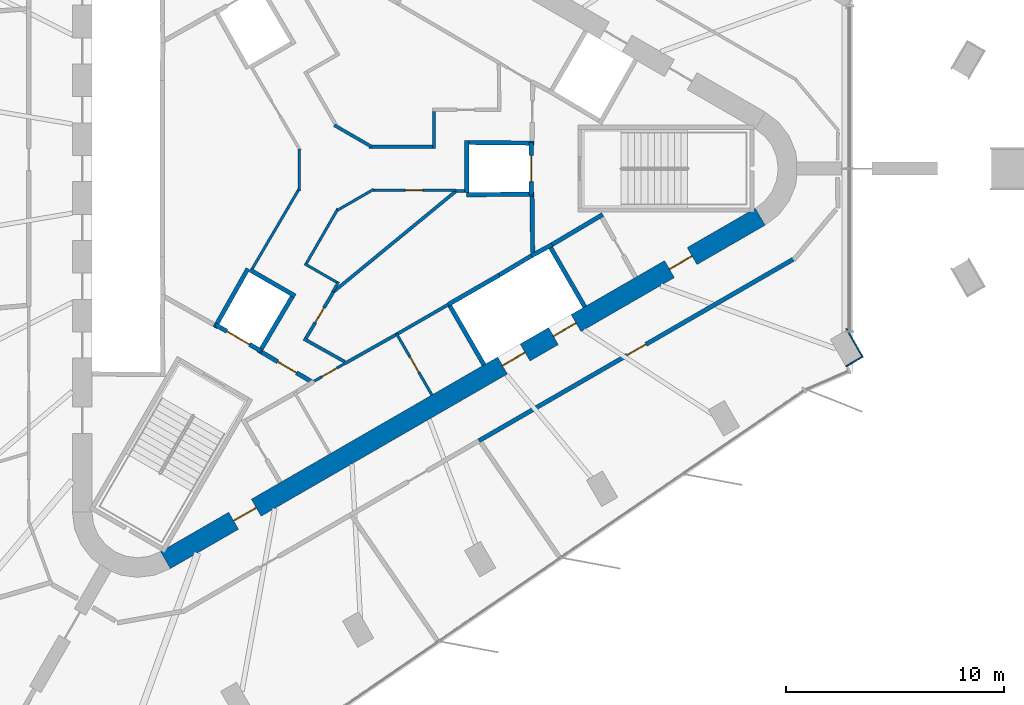
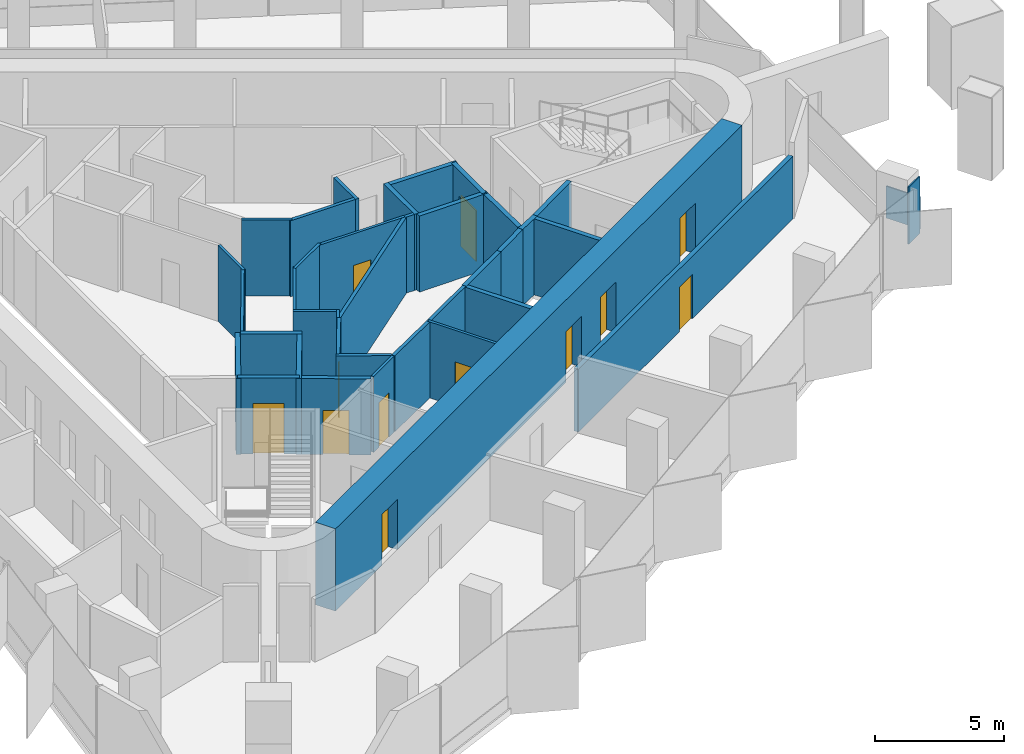
# One storey, part 8 of 12: 38 walls, 12 doors, 12 openings.
"""IFC4 building model written with IfcOpenShell, lengths in metres."""

from ifc_helpers import new_model, si_unit, direction, frame, frame_2d, origin, place, context, subcontext, project, spatial, rectangle, extrude, material, layer, layer_set, type_object, element, fill, save


model = new_model("IFC4")

# Units and contexts
model_context = context("Model", 3, precision=1e-05, world=origin(), true_north=direction((0.0, 1.0)))
body_context = subcontext(model_context, "Body", "Model", "MODEL_VIEW")
ifc_project = project(units=[si_unit("LENGTHUNIT", "METRE"), si_unit("AREAUNIT", "SQUARE_METRE"), si_unit("VOLUMEUNIT", "CUBIC_METRE"), si_unit("PLANEANGLEUNIT", "RADIAN"), si_unit("MASSUNIT", "GRAM", prefix="KILO")], contexts=[model_context])

# Site, building, storey
site_placement = place(None, origin())
site = spatial("IfcSite", under=ifc_project, at=site_placement, CompositionType="ELEMENT")
building_placement = place(site_placement, origin())
building = spatial("IfcBuilding", under=site, at=building_placement, Name="Tanit Gate Tower", CompositionType="ELEMENT")
storey_placement = place(building_placement, frame((0.0, 0.0, 380.60009765625)))
storey = spatial("IfcBuildingStorey", under=building, at=storey_placement, Name="L87", CompositionType="ELEMENT", Elevation=380.60009765625)

# Wall, openings, doors
ifc_material_1 = material(Name="Concrete C40/50", Category="concrete")
ifc_layer_1 = layer(ifc_material_1, 0.89990234375)
ifc_layer_set_1 = layer_set([ifc_layer_1], Name="CORE WALL 900 C40/50")
wall_type_1 = type_object("IfcWallType", Name="CORE WALL 900 C40/50", PredefinedType="SHEAR", material=ifc_layer_set_1)
wall_1_placement = place(storey_placement, frame((-7.824951171875, -17.969970703125, 0.0), z_axis=(0.0, 0.0, 1.0), x_axis=(0.866028369851, 0.499994862586, 0.0)))
wall_1 = element("IfcWall", 1, at=wall_1_placement, inside=storey, type_object=wall_type_1, Name="CORE WALL", PredefinedType="SHEAR", context=body_context, shape_type="SweptSolid", body=[
    extrude(rectangle(XDim=31.523193359375, YDim=0.89990234375, at=frame_2d((15.76171875, 0.0))), origin(), (0.0, 0.0, 1.0), 3.89990234375),
])
opening_1_placement = place(wall_1_placement, frame((17.861572265625, 0.0, 0.0)))
opening_1 = element("IfcOpeningElement", 2, at=opening_1_placement, cuts=wall_1, Name="Opening LDSV1-87", PredefinedType="OPENING", context=body_context, shape_type="SweptSolid", body=[
    extrude(rectangle(XDim=1.199951171875, YDim=2.39990234375, at=frame_2d((0.60009765625, 1.199951171875))), frame((0.0, 0.4599609375, 0.0), z_axis=(0.0, -1.0, 0.0), x_axis=(1.0, 0.0, 0.0)), (0.0, 0.0, 1.0), 0.919921875),
])
opening_2_placement = place(wall_1_placement, frame((20.561767578125, 0.0, 0.0)))
opening_2 = element("IfcOpeningElement", 3, at=opening_2_placement, cuts=wall_1, Name="Opening LDSV2-87", PredefinedType="OPENING", context=body_context, shape_type="SweptSolid", body=[
    extrude(rectangle(XDim=1.199951171875, YDim=2.39990234375, at=frame_2d((0.60009765625, 1.199951171875))), frame((0.0, 0.4599609375, 0.0), z_axis=(0.0, -1.0, 0.0), x_axis=(1.0, 0.0, 0.0)), (0.0, 0.0, 1.0), 0.919921875),
])
opening_3_placement = place(wall_1_placement, frame((26.711669921875, 0.0, 0.0)))
opening_3 = element("IfcOpeningElement", 4, at=opening_3_placement, cuts=wall_1, Name="Opening F12-87-S1", PredefinedType="OPENING", context=body_context, shape_type="SweptSolid", body=[
    extrude(rectangle(XDim=1.199951171875, YDim=2.39990234375, at=frame_2d((0.60009765625, 1.199951171875))), frame((0.0, 0.4599609375, 0.0), z_axis=(0.0, -1.0, 0.0), x_axis=(1.0, 0.0, 0.0)), (0.0, 0.0, 1.0), 0.919921875),
])
opening_4_placement = place(wall_1_placement, frame((3.611572265625, 0.0, 0.0)))
opening_4 = element("IfcOpeningElement", 5, at=opening_4_placement, cuts=wall_1, Name="Opening F12-87-FL3", PredefinedType="OPENING", context=body_context, shape_type="SweptSolid", body=[
    extrude(rectangle(XDim=1.199951171875, YDim=2.39990234375, at=frame_2d((0.60009765625, 1.199951171875))), frame((0.0, 0.4599609375, 0.0), z_axis=(0.0, -1.0, 0.0), x_axis=(1.0, 0.0, 0.0)), (0.0, 0.0, 1.0), 0.919921875),
])
ifc_material_2 = material(Name="Fire-rated steel door leaf", Category="steel")
door_type_1 = type_object("IfcDoorType", Name="INT-DOOR-FIRE-LOBBY-1200", OperationType="NOTDEFINED", PredefinedType="USERDEFINED", material=ifc_material_2)
door_1_placement = place(opening_3_placement, origin())
door_1 = element("IfcDoor", 6, at=door_1_placement, inside=storey, type_object=door_type_1, Name="Door F12-87-S1", ObjectType="FIRE DOOR", OperationType="SINGLE_SWING_RIGHT", OverallHeight=2.39990234375, OverallWidth=1.199951171875, PredefinedType="USERDEFINED", context=body_context, shape_type="SweptSolid", body=[
    extrude(rectangle(XDim=1.199951171875, YDim=2.39990234375, at=frame_2d((0.60009765625, 1.199951171875))), frame((0.0, 0.02490234375, 0.0), z_axis=(0.0, -1.0, 0.0), x_axis=(1.0, 0.0, 0.0)), (0.0, 0.0, 1.0), 0.050048828125),
])
fill(opening_3, door_1)
door_2_placement = place(opening_4_placement, origin())
door_2 = element("IfcDoor", 7, at=door_2_placement, inside=storey, type_object=door_type_1, Name="Door F12-87-FL3", ObjectType="FIRE DOOR", OperationType="SINGLE_SWING_RIGHT", OverallHeight=2.39990234375, OverallWidth=1.199951171875, PredefinedType="USERDEFINED", context=body_context, shape_type="SweptSolid", body=[
    extrude(rectangle(XDim=1.199951171875, YDim=2.39990234375, at=frame_2d((0.60009765625, 1.199951171875))), frame((0.0, 0.02490234375, 0.0), z_axis=(0.0, -1.0, 0.0), x_axis=(1.0, 0.0, 0.0)), (0.0, 0.0, 1.0), 0.050048828125),
])
fill(opening_4, door_2)
ifc_material_3 = material(Name="Stainless steel sliding door leaf", Category="steel")
door_type_2 = type_object("IfcDoorType", Name="INT-DOOR-LANDING-1200", OperationType="NOTDEFINED", PredefinedType="USERDEFINED", material=ifc_material_3)
door_3_placement = place(opening_1_placement, origin())
door_3 = element("IfcDoor", 8, at=door_3_placement, inside=storey, type_object=door_type_2, Name="Door LDSV1-87", ObjectType="LANDING DOOR", OperationType="SLIDING_TO_LEFT", OverallHeight=2.39990234375, OverallWidth=1.199951171875, PredefinedType="USERDEFINED", context=body_context, shape_type="SweptSolid", body=[
    extrude(rectangle(XDim=1.199951171875, YDim=2.39990234375, at=frame_2d((0.60009765625, 1.199951171875))), frame((0.0, 0.02490234375, 0.0), z_axis=(0.0, -1.0, 0.0), x_axis=(1.0, 0.0, 0.0)), (0.0, 0.0, 1.0), 0.050048828125),
])
fill(opening_1, door_3)
door_4_placement = place(opening_2_placement, origin())
door_4 = element("IfcDoor", 9, at=door_4_placement, inside=storey, type_object=door_type_2, Name="Door LDSV2-87", ObjectType="LANDING DOOR", OperationType="SLIDING_TO_LEFT", OverallHeight=2.39990234375, OverallWidth=1.199951171875, PredefinedType="USERDEFINED", context=body_context, shape_type="SweptSolid", body=[
    extrude(rectangle(XDim=1.199951171875, YDim=2.39990234375, at=frame_2d((0.60009765625, 1.199951171875))), frame((0.0, 0.02490234375, 0.0), z_axis=(0.0, -1.0, 0.0), x_axis=(1.0, 0.0, 0.0)), (0.0, 0.0, 1.0), 0.050048828125),
])
fill(opening_2, door_4)

# Walls
ifc_material_4 = material(Name="Bronze anodised aluminium cladding", Category="aluminium")
ifc_layer_2 = layer(ifc_material_4, 0.06005859375)
ifc_layer_set_2 = layer_set([ifc_layer_2], Name="Column casing bronze 60")
wall_type_2 = type_object("IfcWallType", Name="Column casing bronze 60", PredefinedType="SOLIDWALL", material=ifc_layer_set_2)
wall_2_placement = place(storey_placement, frame((23.42578125, -7.34521484375, 1.099853515625), z_axis=(0.0, 0.0, 1.0), x_axis=(0.499991248344, -0.866030456496, 0.0)))
element("IfcWall", 10, at=wall_2_placement, inside=storey, type_object=wall_type_2, Name="Column casing L87 P-SE7.L1", PredefinedType="SOLIDWALL", context=body_context, shape_type="SweptSolid", body=[
    extrude(rectangle(XDim=1.52001953125, YDim=0.06005859375, at=frame_2d((0.760009765625, 0.0))), origin(), (0.0, 0.0, 1.0), 1.510009765625),
])
wall_3_placement = place(storey_placement, frame((23.40869140625, -9.075439453125, 0.89990234375), z_axis=(0.0, 0.0, 1.0), x_axis=(0.865989465428, 0.500062241894, 0.0)))
element("IfcWall", 11, at=wall_3_placement, inside=storey, type_object=wall_type_2, Name="Column casing L87 P-SE7.S1", PredefinedType="SOLIDWALL", context=body_context, shape_type="SweptSolid", body=[
    extrude(rectangle(XDim=0.85009765625, YDim=0.06005859375, at=frame_2d((0.425048828125, 0.0))), origin(), (0.0, 0.0, 1.0), 2.699951171875),
])
ifc_material_5 = material(Name="Fire-rated gypsum board partition")
ifc_layer_3 = layer(ifc_material_5, 0.199951171875)
ifc_layer_set_3 = layer_set([ifc_layer_3], Name="INT-WALL-COMPARTMENT")
wall_type_3 = type_object("IfcWallType", Name="INT-WALL-COMPARTMENT", PredefinedType="PARTITIONING", material=ifc_layer_set_3)
wall_4_placement = place(storey_placement, frame((12.244873046875, -2.10888671875, 0.0), z_axis=(0.0, 0.0, 1.0), x_axis=(-0.860414880418, -0.509594185166, 0.0)))
element("IfcWall", 12, at=wall_4_placement, inside=storey, type_object=wall_type_3, Name="Wall Compartment W063", PredefinedType="PARTITIONING", context=body_context, shape_type="SweptSolid", body=[
    extrude(rectangle(XDim=2.7001953125, YDim=0.199951171875, at=frame_2d((1.35009765625, 0.0))), origin(), (0.0, 0.0, 1.0), 3.599853515625),
])
wall_5_placement = place(storey_placement, frame((9.02880859375, -3.8505859375, 0.0), z_axis=(0.0, 0.0, 1.0), x_axis=(-0.010784614026, 0.999941844359, 0.0)))
element("IfcWall", 13, at=wall_5_placement, inside=storey, type_object=wall_type_3, Name="Wall Compartment W065", PredefinedType="PARTITIONING", context=body_context, shape_type="SweptSolid", body=[
    extrude(rectangle(XDim=2.580810546875, YDim=0.199951171875, at=frame_2d((1.29052734375, 0.0))), origin(), (0.0, 0.0, 1.0), 3.599853515625),
])

# Wall, opening, door
wall_6_placement = place(storey_placement, frame((-3.400634765625, -8.43017578125, 0.0), z_axis=(0.0, 0.0, 1.0), x_axis=(0.860617791406, -0.509251428192, 0.0)))
wall_6 = element("IfcWall", 14, at=wall_6_placement, inside=storey, type_object=wall_type_3, Name="Wall Compartment W070", PredefinedType="PARTITIONING", context=body_context, shape_type="SweptSolid", body=[
    extrude(rectangle(XDim=2.709228515625, YDim=0.199951171875, at=frame_2d((1.3544921875, 0.0))), origin(), (0.0, 0.0, 1.0), 3.599853515625),
])
opening_5_placement = place(wall_6_placement, frame((0.848388671875, 0.0, 0.0)))
opening_5 = element("IfcOpeningElement", 15, at=opening_5_placement, cuts=wall_6, Name="Opening F10-87-08", PredefinedType="OPENING", context=body_context, shape_type="SweptSolid", body=[
    extrude(rectangle(XDim=1.0, YDim=2.10009765625, at=frame_2d((0.5, 1.050048828125))), frame((0.0, 0.10986328125, 0.0), z_axis=(0.0, -1.0, 0.0), x_axis=(1.0, 0.0, 0.0)), (0.0, 0.0, 1.0), 0.219970703125),
])
ifc_material_6 = material(Name="Fire-rated steel door leaf", Category="steel")
door_type_3 = type_object("IfcDoorType", Name="INT-DOOR-FIRE-1000", OperationType="NOTDEFINED", PredefinedType="USERDEFINED", material=ifc_material_6)
door_5_placement = place(opening_5_placement, origin())
door_5 = element("IfcDoor", 16, at=door_5_placement, inside=storey, type_object=door_type_3, Name="Door F10-87-08", ObjectType="FIRE DOOR", OperationType="SINGLE_SWING_RIGHT", OverallHeight=2.10009765625, OverallWidth=1.0, PredefinedType="USERDEFINED", context=body_context, shape_type="SweptSolid", body=[
    extrude(rectangle(XDim=1.0, YDim=2.10009765625, at=frame_2d((0.5, 1.050048828125))), frame((0.0, 0.02490234375, 0.0), z_axis=(0.0, -1.0, 0.0), x_axis=(1.0, 0.0, 0.0)), (0.0, 0.0, 1.0), 0.050048828125),
])
fill(opening_5, door_5)

wall_7_placement = place(storey_placement, frame((6.56494140625, -12.490966796875, 0.0), z_axis=(0.0, 0.0, 1.0), x_axis=(0.866025195272, 0.500000361154, 0.0)))
wall_7 = element("IfcWall", 17, at=wall_7_placement, inside=storey, type_object=wall_type_3, Name="Wall Compartment W121", PredefinedType="PARTITIONING", context=body_context, shape_type="SweptSolid", body=[
    extrude(rectangle(XDim=16.65380859375, YDim=0.199951171875, at=frame_2d((8.326904296875, 0.0))), origin(), (0.0, 0.0, 1.0), 2.969970703125),
])
opening_6_placement = place(wall_7_placement, frame((7.856201171875, 0.0, 0.0)))
opening_6 = element("IfcOpeningElement", 18, at=opening_6_placement, cuts=wall_7, Name="Opening F10-87-28", PredefinedType="OPENING", context=body_context, shape_type="SweptSolid", body=[
    extrude(rectangle(XDim=1.0, YDim=2.10009765625, at=frame_2d((0.5, 1.050048828125))), frame((0.0, 0.10986328125, 0.0), z_axis=(0.0, -1.0, 0.0), x_axis=(1.0, 0.0, 0.0)), (0.0, 0.0, 1.0), 0.219970703125),
])
door_6_placement = place(opening_6_placement, origin())
door_6 = element("IfcDoor", 19, at=door_6_placement, inside=storey, type_object=door_type_3, Name="Door F10-87-28", ObjectType="FIRE DOOR", OperationType="SINGLE_SWING_LEFT", OverallHeight=2.10009765625, OverallWidth=1.0, PredefinedType="USERDEFINED", context=body_context, shape_type="SweptSolid", body=[
    extrude(rectangle(XDim=1.0, YDim=2.10009765625, at=frame_2d((0.5, 1.050048828125))), frame((0.0, 0.02490234375, 0.0), z_axis=(0.0, -1.0, 0.0), x_axis=(1.0, 0.0, 0.0)), (0.0, 0.0, 1.0), 0.050048828125),
])
fill(opening_6, door_6)

ifc_material_7 = material(Name="Gypsum board partition")
ifc_layer_4 = layer(ifc_material_7, 0.1201171875)
ifc_layer_set_4 = layer_set([ifc_layer_4], Name="INT-WALL-PARTITION")
wall_type_4 = type_object("IfcWallType", Name="INT-WALL-PARTITION", PredefinedType="PARTITIONING", material=ifc_layer_set_4)
wall_8_placement = place(storey_placement, frame((4.40478515625, -10.389404296875, 0.0), z_axis=(0.0, 0.0, 1.0), x_axis=(-0.500017246033, 0.866015446554, 0.0)))
wall_8 = element("IfcWall", 20, at=wall_8_placement, inside=storey, type_object=wall_type_4, Name="Wall Partition W058", PredefinedType="PARTITIONING", context=body_context, shape_type="SweptSolid", body=[
    extrude(rectangle(XDim=3.25, YDim=0.1201171875, at=frame_2d((1.625, 0.0))), origin(), (0.0, 0.0, 1.0), 3.599853515625),
])
opening_7_placement = place(wall_8_placement, frame((1.22509765625, 0.0, 0.0)))
opening_7 = element("IfcOpeningElement", 21, at=opening_7_placement, cuts=wall_8, Name="Opening R08-87-18", PredefinedType="OPENING", context=body_context, shape_type="SweptSolid", body=[
    extrude(rectangle(XDim=0.800048828125, YDim=2.10009765625, at=frame_2d((0.39990234375, 1.050048828125))), frame((0.0, 0.070068359375, 0.0), z_axis=(0.0, -1.0, 0.0), x_axis=(1.0, 0.0, 0.0)), (0.0, 0.0, 1.0), 0.14013671875),
])
ifc_material_8 = material(Name="Timber door leaf", Category="wood")
door_type_4 = type_object("IfcDoorType", Name="INT-DOOR-RISER-800", OperationType="NOTDEFINED", PredefinedType="USERDEFINED", material=ifc_material_8)
door_7_placement = place(opening_7_placement, origin())
door_7 = element("IfcDoor", 22, at=door_7_placement, inside=storey, type_object=door_type_4, Name="Door R08-87-18", ObjectType="FIRE DOOR", OperationType="SINGLE_SWING_LEFT", OverallHeight=2.10009765625, OverallWidth=0.800048828125, PredefinedType="USERDEFINED", context=body_context, shape_type="SweptSolid", body=[
    extrude(rectangle(XDim=0.800048828125, YDim=2.10009765625, at=frame_2d((0.39990234375, 1.050048828125))), frame((0.0, 0.02490234375, 0.0), z_axis=(0.0, -1.0, 0.0), x_axis=(1.0, 0.0, 0.0)), (0.0, 0.0, 1.0), 0.050048828125),
])
fill(opening_7, door_7)

wall_9_placement = place(storey_placement, frame((0.39990234375, -8.948974609375, 0.0), z_axis=(0.0, 0.0, 1.0), x_axis=(-0.866019818373, -0.500009674092, 0.0)))
wall_9 = element("IfcWall", 23, at=wall_9_placement, inside=storey, type_object=wall_type_4, Name="Wall Partition W061", PredefinedType="PARTITIONING", context=body_context, shape_type="SweptSolid", body=[
    extrude(rectangle(XDim=1.59423828125, YDim=0.1201171875, at=frame_2d((0.797119140625, 0.0))), origin(), (0.0, 0.0, 1.0), 3.599853515625),
])
opening_8_placement = place(wall_9_placement, frame((0.397216796875, 0.0, 0.0)))
opening_8 = element("IfcOpeningElement", 24, at=opening_8_placement, cuts=wall_9, Name="Opening R08-87-17", PredefinedType="OPENING", context=body_context, shape_type="SweptSolid", body=[
    extrude(rectangle(XDim=0.800048828125, YDim=2.10009765625, at=frame_2d((0.39990234375, 1.050048828125))), frame((0.0, 0.070068359375, 0.0), z_axis=(0.0, -1.0, 0.0), x_axis=(1.0, 0.0, 0.0)), (0.0, 0.0, 1.0), 0.14013671875),
])
door_8_placement = place(opening_8_placement, origin())
door_8 = element("IfcDoor", 25, at=door_8_placement, inside=storey, type_object=door_type_4, Name="Door R08-87-17", ObjectType="FIRE DOOR", OperationType="SINGLE_SWING_RIGHT", OverallHeight=2.10009765625, OverallWidth=0.800048828125, PredefinedType="USERDEFINED", context=body_context, shape_type="SweptSolid", body=[
    extrude(rectangle(XDim=0.800048828125, YDim=2.10009765625, at=frame_2d((0.39990234375, 1.050048828125))), frame((0.0, 0.02490234375, 0.0), z_axis=(0.0, -1.0, 0.0), x_axis=(1.0, 0.0, 0.0)), (0.0, 0.0, 1.0), 0.050048828125),
])
fill(opening_8, door_8)

# Walls
wall_10_placement = place(storey_placement, frame((-1.688720703125, -1.02734375, 0.0), z_axis=(0.0, 0.0, 1.0), x_axis=(0.0, 1.0, 0.0)))
element("IfcWall", 26, at=wall_10_placement, inside=storey, type_object=wall_type_4, Name="Wall Partition W072", PredefinedType="PARTITIONING", context=body_context, shape_type="SweptSolid", body=[
    extrude(rectangle(XDim=1.933349609375, YDim=0.1201171875, at=frame_2d((0.966796875, 0.0))), origin(), (0.0, 0.0, 1.0), 3.599853515625),
])
wall_11_placement = place(storey_placement, frame((-3.841064453125, -4.59521484375, 0.0), z_axis=(0.0, 0.0, 1.0), x_axis=(0.505883680705, 0.862601705074, 0.0)))
element("IfcWall", 27, at=wall_11_placement, inside=storey, type_object=wall_type_4, Name="Wall Partition W073", PredefinedType="PARTITIONING", context=body_context, shape_type="SweptSolid", body=[
    extrude(rectangle(XDim=4.23583984375, YDim=0.1201171875, at=frame_2d((2.117919921875, 0.0))), origin(), (0.0, 0.0, 1.0), 3.599853515625),
])
wall_12_placement = place(storey_placement, frame((-0.14404296875, -5.6494140625, 0.0), z_axis=(0.0, 0.0, 1.0), x_axis=(0.499843319224, 0.866115844577, 0.0)))
element("IfcWall", 28, at=wall_12_placement, inside=storey, type_object=wall_type_4, Name="Wall Partition W078", PredefinedType="PARTITIONING", context=body_context, shape_type="SweptSolid", body=[
    extrude(rectangle(XDim=0.524658203125, YDim=0.1201171875, at=frame_2d((0.26220703125, 0.0))), origin(), (0.0, 0.0, 1.0), 3.599853515625),
])
wall_13_placement = place(storey_placement, frame((-1.43603515625, -4.3671875, 0.0), z_axis=(0.0, 0.0, 1.0), x_axis=(0.866087547558, -0.499892348375, 0.0)))
element("IfcWall", 29, at=wall_13_placement, inside=storey, type_object=wall_type_4, Name="Wall Partition W079", PredefinedType="PARTITIONING", context=body_context, shape_type="SweptSolid", body=[
    extrude(rectangle(XDim=1.699951171875, YDim=0.1201171875, at=frame_2d((0.85009765625, 0.0))), origin(), (0.0, 0.0, 1.0), 3.599853515625),
])
wall_14_placement = place(storey_placement, frame((0.09521484375, -1.8349609375, 0.0), z_axis=(0.0, 0.0, 1.0), x_axis=(-0.499980071345, -0.866036909293, 0.0)))
element("IfcWall", 30, at=wall_14_placement, inside=storey, type_object=wall_type_4, Name="Wall Partition W080", PredefinedType="PARTITIONING", context=body_context, shape_type="SweptSolid", body=[
    extrude(rectangle(XDim=2.8984375, YDim=0.1201171875, at=frame_2d((1.44921875, 0.0))), origin(), (0.0, 0.0, 1.0), 3.599853515625),
])
wall_15_placement = place(storey_placement, frame((1.7353515625, -0.947998046875, 0.0), z_axis=(0.0, 0.0, 1.0), x_axis=(-0.865998615205, -0.500046396311, 0.0)))
element("IfcWall", 31, at=wall_15_placement, inside=storey, type_object=wall_type_4, Name="Wall Partition W081", PredefinedType="PARTITIONING", context=body_context, shape_type="SweptSolid", body=[
    extrude(rectangle(XDim=1.935302734375, YDim=0.1201171875, at=frame_2d((0.9677734375, 0.0))), origin(), (0.0, 0.0, 1.0), 3.599853515625),
])

# Wall, opening, door
wall_16_placement = place(storey_placement, frame((5.5, -1.0, 0.0), z_axis=(0.0, 0.0, 1.0), x_axis=(-1.0, 0.0, 0.0)))
wall_16 = element("IfcWall", 32, at=wall_16_placement, inside=storey, type_object=wall_type_4, Name="Wall Partition W082", PredefinedType="PARTITIONING", context=body_context, shape_type="SweptSolid", body=[
    extrude(rectangle(XDim=3.8359375, YDim=0.1201171875, at=frame_2d((1.91796875, 0.0))), origin(), (0.0, 0.0, 1.0), 3.599853515625),
])
opening_9_placement = place(wall_16_placement, frame((1.51806640625, 0.0, 0.0)))
opening_9 = element("IfcOpeningElement", 33, at=opening_9_placement, cuts=wall_16, Name="Opening R08-87-12", PredefinedType="OPENING", context=body_context, shape_type="SweptSolid", body=[
    extrude(rectangle(XDim=0.800048828125, YDim=2.10009765625, at=frame_2d((0.39990234375, 1.050048828125))), frame((0.0, 0.070068359375, 0.0), z_axis=(0.0, -1.0, 0.0), x_axis=(1.0, 0.0, 0.0)), (0.0, 0.0, 1.0), 0.14013671875),
])
door_9_placement = place(opening_9_placement, origin())
door_9 = element("IfcDoor", 34, at=door_9_placement, inside=storey, type_object=door_type_4, Name="Door R08-87-12", ObjectType="FIRE DOOR", OperationType="SINGLE_SWING_LEFT", OverallHeight=2.10009765625, OverallWidth=0.800048828125, PredefinedType="USERDEFINED", context=body_context, shape_type="SweptSolid", body=[
    extrude(rectangle(XDim=0.800048828125, YDim=2.10009765625, at=frame_2d((0.39990234375, 1.050048828125))), frame((0.0, 0.02490234375, 0.0), z_axis=(0.0, -1.0, 0.0), x_axis=(1.0, 0.0, 0.0)), (0.0, 0.0, 1.0), 0.050048828125),
])
fill(opening_9, door_9)

# Walls
ifc_material_9 = material(Name="Fire-rated gypsum board partition")
ifc_layer_5 = layer(ifc_material_9, 0.14990234375)
ifc_layer_set_5 = layer_set([ifc_layer_5], Name="INT-WALL-RISER")
wall_type_5 = type_object("IfcWallType", Name="INT-WALL-RISER", PredefinedType="PLUMBINGWALL", material=ifc_layer_set_5)
wall_17_placement = place(storey_placement, frame((0.419921875, -8.9375, 0.0), z_axis=(0.0, 0.0, 1.0), x_axis=(0.871409832999, 0.490555708306, 0.0)))
element("IfcWall", 35, at=wall_17_placement, inside=storey, type_object=wall_type_5, Name="Wall Riser W060", PredefinedType="PLUMBINGWALL", context=body_context, shape_type="SweptSolid", body=[
    extrude(rectangle(XDim=2.755126953125, YDim=0.14990234375, at=frame_2d((1.37744140625, 0.0))), origin(), (0.0, 0.0, 1.0), 3.599853515625),
])
wall_18_placement = place(storey_placement, frame((2.82080078125, -7.5859375, 0.0), z_axis=(0.0, 0.0, 1.0), x_axis=(0.866019956843, 0.50000943426, 0.0)))
element("IfcWall", 36, at=wall_18_placement, inside=storey, type_object=wall_type_5, Name="Wall Riser W062", PredefinedType="PLUMBINGWALL", context=body_context, shape_type="SweptSolid", body=[
    extrude(rectangle(XDim=2.7001953125, YDim=0.14990234375, at=frame_2d((1.35009765625, 0.0))), origin(), (0.0, 0.0, 1.0), 3.599853515625),
])
wall_19_placement = place(storey_placement, frame((5.5478515625, -1.0, 0.0), z_axis=(0.0, 0.0, 1.0), x_axis=(-0.772345431507, -0.635202750648, 0.0)))
element("IfcWall", 37, at=wall_19_placement, inside=storey, type_object=wall_type_5, Name="Wall Riser W074", PredefinedType="PLUMBINGWALL", context=body_context, shape_type="SweptSolid", body=[
    extrude(rectangle(XDim=7.41455078125, YDim=0.14990234375, at=frame_2d((3.707275390625, 0.0))), origin(), (0.0, 0.0, 1.0), 3.599853515625),
])
wall_20_placement = place(storey_placement, frame((-1.47705078125, -7.808349609375, 0.0), z_axis=(0.0, 0.0, 1.0), x_axis=(0.871829948107, -0.48980867855, 0.0)))
element("IfcWall", 38, at=wall_20_placement, inside=storey, type_object=wall_type_5, Name="Wall Riser W075", PredefinedType="PLUMBINGWALL", context=body_context, shape_type="SweptSolid", body=[
    extrude(rectangle(XDim=2.15185546875, YDim=0.14990234375, at=frame_2d((1.075927734375, 0.0))), origin(), (0.0, 0.0, 1.0), 3.599853515625),
])

# Wall, opening, door
wall_21_placement = place(storey_placement, frame((-0.118896484375, -5.664306640625, 0.0), z_axis=(0.0, 0.0, 1.0), x_axis=(-0.509935662771, -0.860212543406, 0.0)))
wall_21 = element("IfcWall", 39, at=wall_21_placement, inside=storey, type_object=wall_type_5, Name="Wall Riser W076", PredefinedType="PLUMBINGWALL", context=body_context, shape_type="SweptSolid", body=[
    extrude(rectangle(XDim=2.46044921875, YDim=0.14990234375, at=frame_2d((1.230224609375, 0.0))), origin(), (0.0, 0.0, 1.0), 3.599853515625),
])
opening_10_placement = place(wall_21_placement, frame((0.830078125, 0.0, 0.0)))
opening_10 = element("IfcOpeningElement", 40, at=opening_10_placement, cuts=wall_21, Name="Opening R08-87-11", PredefinedType="OPENING", context=body_context, shape_type="SweptSolid", body=[
    extrude(rectangle(XDim=0.800048828125, YDim=2.10009765625, at=frame_2d((0.39990234375, 1.050048828125))), frame((0.0, 0.0849609375, 0.0), z_axis=(0.0, -1.0, 0.0), x_axis=(1.0, 0.0, 0.0)), (0.0, 0.0, 1.0), 0.169921875),
])
door_10_placement = place(opening_10_placement, origin())
door_10 = element("IfcDoor", 41, at=door_10_placement, inside=storey, type_object=door_type_4, Name="Door R08-87-11", ObjectType="FIRE DOOR", OperationType="SINGLE_SWING_LEFT", OverallHeight=2.10009765625, OverallWidth=0.800048828125, PredefinedType="USERDEFINED", context=body_context, shape_type="SweptSolid", body=[
    extrude(rectangle(XDim=0.800048828125, YDim=2.10009765625, at=frame_2d((0.39990234375, 1.050048828125))), frame((0.0, 0.02490234375, 0.0), z_axis=(0.0, -1.0, 0.0), x_axis=(1.0, 0.0, 0.0)), (0.0, 0.0, 1.0), 0.050048828125),
])
fill(opening_10, door_10)

# Walls
wall_22_placement = place(storey_placement, frame((5.89990234375, -1.029541015625, 0.0), z_axis=(0.0, 0.0, 1.0), x_axis=(-1.0, 0.0, 0.0)))
element("IfcWall", 42, at=wall_22_placement, inside=storey, type_object=wall_type_5, Name="Wall Riser W077", PredefinedType="PLUMBINGWALL", context=body_context, shape_type="SweptSolid", body=[
    extrude(rectangle(XDim=0.39990234375, YDim=0.14990234375, at=frame_2d((0.199951171875, 0.0))), origin(), (0.0, 0.0, 1.0), 3.599853515625),
])
wall_23_placement = place(storey_placement, frame((4.5, 0.925048828125, 0.0), z_axis=(0.0, 0.0, 1.0), x_axis=(0.0, 1.0, 0.0)))
element("IfcWall", 43, at=wall_23_placement, inside=storey, type_object=wall_type_5, Name="Wall Riser W085", PredefinedType="PLUMBINGWALL", context=body_context, shape_type="SweptSolid", body=[
    extrude(rectangle(XDim=1.699951171875, YDim=0.14990234375, at=frame_2d((0.85009765625, 0.0))), origin(), (0.0, 0.0, 1.0), 3.599853515625),
])
wall_24_placement = place(storey_placement, frame((1.515625, 1.0, 0.0), z_axis=(0.0, 0.0, 1.0), x_axis=(1.0, 0.0, 0.0)))
element("IfcWall", 44, at=wall_24_placement, inside=storey, type_object=wall_type_5, Name="Wall Riser W086", PredefinedType="PLUMBINGWALL", context=body_context, shape_type="SweptSolid", body=[
    extrude(rectangle(XDim=2.909423828125, YDim=0.14990234375, at=frame_2d((1.45458984375, 0.0))), origin(), (0.0, 0.0, 1.0), 3.599853515625),
])
wall_25_placement = place(storey_placement, frame((-0.069091796875, 1.989990234375, 0.0), z_axis=(0.0, 0.0, 1.0), x_axis=(0.866015184065, -0.500017700655, 0.0)))
element("IfcWall", 45, at=wall_25_placement, inside=storey, type_object=wall_type_5, Name="Wall Riser W087", PredefinedType="PLUMBINGWALL", context=body_context, shape_type="SweptSolid", body=[
    extrude(rectangle(XDim=1.95654296875, YDim=0.14990234375, at=frame_2d((0.978271484375, 0.0))), origin(), (0.0, 0.0, 1.0), 3.599853515625),
])
ifc_material_10 = material(Name="Gypsum shaft wall system")
ifc_layer_6 = layer(ifc_material_10, 0.199951171875)
ifc_layer_set_6 = layer_set([ifc_layer_6], Name="INT-WALL-SHAFT")
wall_type_6 = type_object("IfcWallType", Name="INT-WALL-SHAFT", PredefinedType="PLUMBINGWALL", material=ifc_layer_set_6)
wall_26_placement = place(storey_placement, frame((6.795166015625, -9.009521484375, 0.0), z_axis=(0.0, 0.0, 1.0), x_axis=(-0.499984717929, 0.866034226713, 0.0)))
element("IfcWall", 46, at=wall_26_placement, inside=storey, type_object=wall_type_6, Name="Wall Shaft W015", PredefinedType="PLUMBINGWALL", context=body_context, shape_type="SweptSolid", body=[
    extrude(rectangle(XDim=3.25, YDim=0.199951171875, at=frame_2d((1.625, 0.0))), origin(), (0.0, 0.0, 1.0), 3.599853515625),
])
wall_27_placement = place(storey_placement, frame((5.1591796875, -6.23583984375, 0.0), z_axis=(0.0, 0.0, 1.0), x_axis=(0.866036505625, 0.499980770555, 0.0)))
element("IfcWall", 47, at=wall_27_placement, inside=storey, type_object=wall_type_6, Name="Wall Shaft W016", PredefinedType="PLUMBINGWALL", context=body_context, shape_type="SweptSolid", body=[
    extrude(rectangle(XDim=2.69970703125, YDim=0.199951171875, at=frame_2d((1.349853515625, 0.0))), origin(), (0.0, 0.0, 1.0), 3.599853515625),
])
wall_28_placement = place(storey_placement, frame((9.794677734375, -3.52490234375, 0.0), z_axis=(0.0, 0.0, 1.0), x_axis=(0.499984717929, -0.866034226713, 0.0)))
element("IfcWall", 48, at=wall_28_placement, inside=storey, type_object=wall_type_6, Name="Wall Shaft W017", PredefinedType="PLUMBINGWALL", context=body_context, shape_type="SweptSolid", body=[
    extrude(rectangle(XDim=3.25, YDim=0.199951171875, at=frame_2d((1.625, 0.0))), origin(), (0.0, 0.0, 1.0), 3.599853515625),
])
wall_29_placement = place(storey_placement, frame((8.97412109375, -3.998779296875, 0.0), z_axis=(0.0, 0.0, 1.0), x_axis=(0.880907015104, 0.473289373154, 0.0)))
element("IfcWall", 49, at=wall_29_placement, inside=storey, type_object=wall_type_6, Name="Wall Shaft W018", PredefinedType="PLUMBINGWALL", context=body_context, shape_type="SweptSolid", body=[
    extrude(rectangle(XDim=1.078125, YDim=0.199951171875, at=frame_2d((0.5390625, 0.0))), origin(), (0.0, 0.0, 1.0), 3.599853515625),
])
wall_30_placement = place(storey_placement, frame((7.497314453125, -4.885986328125, 0.0), z_axis=(0.0, 0.0, 1.0), x_axis=(0.857516281273, 0.51445682749, 0.0)))
element("IfcWall", 50, at=wall_30_placement, inside=storey, type_object=wall_type_6, Name="Wall Shaft W019", PredefinedType="PLUMBINGWALL", context=body_context, shape_type="SweptSolid", body=[
    extrude(rectangle(XDim=1.8447265625, YDim=0.199951171875, at=frame_2d((0.92236328125, 0.0))), origin(), (0.0, 0.0, 1.0), 3.599853515625),
])

# Wall, opening, door
wall_31_placement = place(storey_placement, frame((8.969970703125, 1.199951171875, 0.0), z_axis=(0.0, 0.0, 1.0), x_axis=(0.0, -1.0, 0.0)))
wall_31 = element("IfcWall", 51, at=wall_31_placement, inside=storey, type_object=wall_type_6, Name="Wall Shaft W025", PredefinedType="PLUMBINGWALL", context=body_context, shape_type="SweptSolid", body=[
    extrude(rectangle(XDim=2.39990234375, YDim=0.199951171875, at=frame_2d((1.199951171875, 0.0))), origin(), (0.0, 0.0, 1.0), 3.599853515625),
])
opening_11_placement = place(wall_31_placement, frame((0.60009765625, 0.0, 0.0)))
opening_11 = element("IfcOpeningElement", 52, at=opening_11_placement, cuts=wall_31, Name="Opening LDFL1-L87", PredefinedType="OPENING", context=body_context, shape_type="SweptSolid", body=[
    extrude(rectangle(XDim=1.199951171875, YDim=2.39990234375, at=frame_2d((0.60009765625, 1.199951171875))), frame((0.0, 0.10986328125, 0.0), z_axis=(0.0, -1.0, 0.0), x_axis=(1.0, 0.0, 0.0)), (0.0, 0.0, 1.0), 0.219970703125),
])
door_11_placement = place(opening_11_placement, origin())
door_11 = element("IfcDoor", 53, at=door_11_placement, inside=storey, type_object=door_type_2, Name="Door LDFL1-L87", ObjectType="LANDING DOOR", OperationType="SLIDING_TO_LEFT", OverallHeight=2.39990234375, OverallWidth=1.199951171875, PredefinedType="USERDEFINED", context=body_context, shape_type="SweptSolid", body=[
    extrude(rectangle(XDim=1.199951171875, YDim=2.39990234375, at=frame_2d((0.60009765625, 1.199951171875))), frame((0.0, 0.02490234375, 0.0), z_axis=(0.0, -1.0, 0.0), x_axis=(1.0, 0.0, 0.0)), (0.0, 0.0, 1.0), 0.050048828125),
])
fill(opening_11, door_11)

# Walls
wall_32_placement = place(storey_placement, frame((9.10009765625, -1.1689453125, 0.0), z_axis=(0.0, 0.0, 1.0), x_axis=(-0.999949988, -0.010001074852, 0.0)))
element("IfcWall", 54, at=wall_32_placement, inside=storey, type_object=wall_type_6, Name="Wall Shaft W026", PredefinedType="PLUMBINGWALL", context=body_context, shape_type="SweptSolid", body=[
    extrude(rectangle(XDim=3.100341796875, YDim=0.199951171875, at=frame_2d((1.55029296875, 0.0))), origin(), (0.0, 0.0, 1.0), 3.599853515625),
])
wall_33_placement = place(storey_placement, frame((6.0, -1.1044921875, 0.0), z_axis=(0.0, 0.0, 1.0), x_axis=(0.0, 1.0, 0.0)))
element("IfcWall", 55, at=wall_33_placement, inside=storey, type_object=wall_type_6, Name="Wall Shaft W027", PredefinedType="PLUMBINGWALL", context=body_context, shape_type="SweptSolid", body=[
    extrude(rectangle(XDim=2.404541015625, YDim=0.199951171875, at=frame_2d((1.2021484375, 0.0))), origin(), (0.0, 0.0, 1.0), 3.599853515625),
])
wall_34_placement = place(storey_placement, frame((9.10009765625, 1.1689453125, 0.0), z_axis=(0.0, 0.0, 1.0), x_axis=(-0.99994990606, 0.010009264196, 0.0)))
element("IfcWall", 56, at=wall_34_placement, inside=storey, type_object=wall_type_6, Name="Wall Shaft W028", PredefinedType="PLUMBINGWALL", context=body_context, shape_type="SweptSolid", body=[
    extrude(rectangle(XDim=3.000244140625, YDim=0.199951171875, at=frame_2d((1.5, 0.0))), origin(), (0.0, 0.0, 1.0), 3.599853515625),
])

# Wall, opening, door
wall_35_placement = place(storey_placement, frame((-3.44580078125, -8.3681640625, 0.0), z_axis=(0.0, 0.0, 1.0), x_axis=(-0.866024647952, 0.500001309137, 0.0)))
wall_35 = element("IfcWall", 57, at=wall_35_placement, inside=storey, type_object=wall_type_6, Name="Wall Shaft W043", PredefinedType="PLUMBINGWALL", context=body_context, shape_type="SweptSolid", body=[
    extrude(rectangle(XDim=2.39990234375, YDim=0.199951171875, at=frame_2d((1.199951171875, 0.0))), origin(), (0.0, 0.0, 1.0), 3.599853515625),
])
opening_12_placement = place(wall_35_placement, frame((0.60009765625, 0.0, 0.0)))
opening_12 = element("IfcOpeningElement", 58, at=opening_12_placement, cuts=wall_35, Name="Opening LDFL3-L87", PredefinedType="OPENING", context=body_context, shape_type="SweptSolid", body=[
    extrude(rectangle(XDim=1.199951171875, YDim=2.39990234375, at=frame_2d((0.60009765625, 1.199951171875))), frame((0.0, 0.10986328125, 0.0), z_axis=(0.0, -1.0, 0.0), x_axis=(1.0, 0.0, 0.0)), (0.0, 0.0, 1.0), 0.219970703125),
])
door_12_placement = place(opening_12_placement, origin())
door_12 = element("IfcDoor", 59, at=door_12_placement, inside=storey, type_object=door_type_2, Name="Door LDFL3-L87", ObjectType="LANDING DOOR", OperationType="SLIDING_TO_LEFT", OverallHeight=2.39990234375, OverallWidth=1.199951171875, PredefinedType="USERDEFINED", context=body_context, shape_type="SweptSolid", body=[
    extrude(rectangle(XDim=1.199951171875, YDim=2.39990234375, at=frame_2d((0.60009765625, 1.199951171875))), frame((0.0, 0.02490234375, 0.0), z_axis=(0.0, -1.0, 0.0), x_axis=(1.0, 0.0, 0.0)), (0.0, 0.0, 1.0), 0.050048828125),
])
fill(opening_12, door_12)

# Walls
wall_36_placement = place(storey_placement, frame((-5.5625, -7.29638671875, 0.0), z_axis=(0.0, 0.0, 1.0), x_axis=(0.491322718731, 0.870977603649, 0.0)))
element("IfcWall", 60, at=wall_36_placement, inside=storey, type_object=wall_type_6, Name="Wall Shaft W044", PredefinedType="PLUMBINGWALL", context=body_context, shape_type="SweptSolid", body=[
    extrude(rectangle(XDim=3.10009765625, YDim=0.199951171875, at=frame_2d((1.550048828125, 0.0))), origin(), (0.0, 0.0, 1.0), 3.599853515625),
])
wall_37_placement = place(storey_placement, frame((-3.943603515625, -4.6513671875, 0.0), z_axis=(0.0, 0.0, 1.0), x_axis=(0.866008630453, -0.500029051137, 0.0)))
element("IfcWall", 61, at=wall_37_placement, inside=storey, type_object=wall_type_6, Name="Wall Shaft W045", PredefinedType="PLUMBINGWALL", context=body_context, shape_type="SweptSolid", body=[
    extrude(rectangle(XDim=2.389404296875, YDim=0.199951171875, at=frame_2d((1.19482421875, 0.0))), origin(), (0.0, 0.0, 1.0), 3.599853515625),
])
wall_38_placement = place(storey_placement, frame((-2.01171875, -5.88232421875, 0.0), z_axis=(0.0, 0.0, 1.0), x_axis=(-0.508619639323, -0.860991325447, 0.0)))
element("IfcWall", 62, at=wall_38_placement, inside=storey, type_object=wall_type_6, Name="Wall Shaft W046", PredefinedType="PLUMBINGWALL", context=body_context, shape_type="SweptSolid", body=[
    extrude(rectangle(XDim=3.0, YDim=0.199951171875, at=frame_2d((1.5, 0.0))), origin(), (0.0, 0.0, 1.0), 3.599853515625),
])

save(model, "model.ifc")
